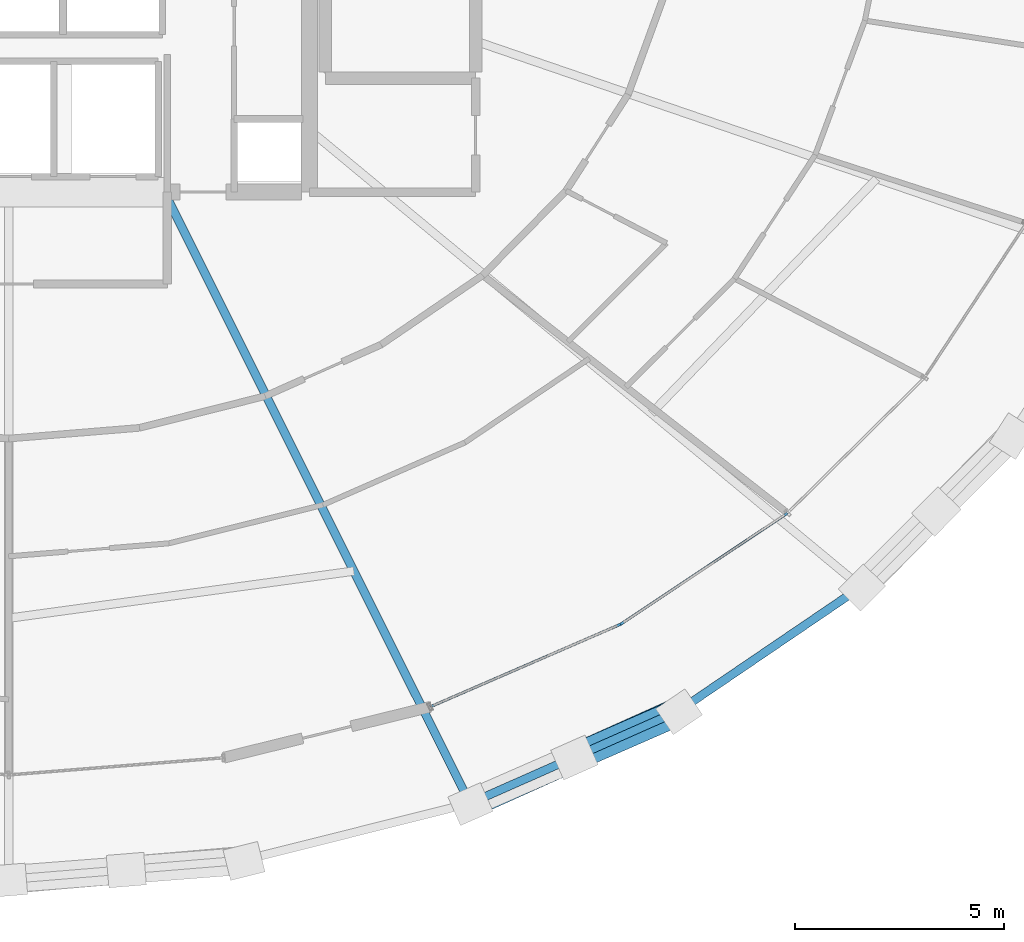
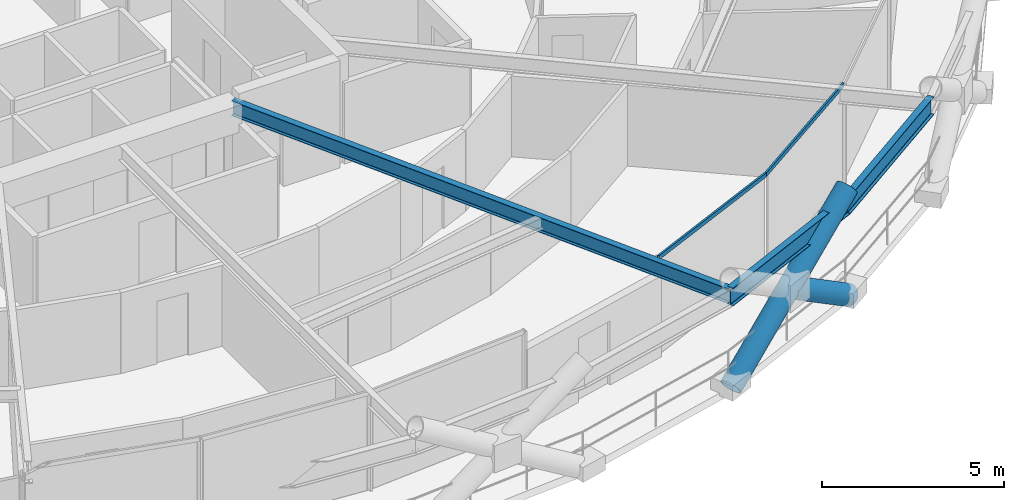
# One storey, part 7 of 23: 4 members, 3 beams, 1 element without a shape of its own.
"""IFC4 building model written with IfcOpenShell, lengths in metres."""

from ifc_helpers import new_model, si_unit, direction, frame, origin, origin_2d, place, context, subcontext, project, spatial, hollow_rectangle, hollow_circle, i_section, extrude, material, layer, layer_set, material_profile, profile_set, type_object, element, aggregate, save


model = new_model("IFC4")

# Units and contexts
model_context = context("Model", 3, precision=1e-05, world=origin(), true_north=direction((0.0, 1.0)))
body_context = subcontext(model_context, "Body", "Model", "MODEL_VIEW")
ifc_project = project(units=[si_unit("LENGTHUNIT", "METRE"), si_unit("AREAUNIT", "SQUARE_METRE"), si_unit("VOLUMEUNIT", "CUBIC_METRE"), si_unit("PLANEANGLEUNIT", "RADIAN"), si_unit("MASSUNIT", "GRAM", prefix="KILO")], contexts=[model_context])

# Site, building, storey
site_placement = place(None, origin())
site = spatial("IfcSite", under=ifc_project, at=site_placement, CompositionType="ELEMENT")
building_placement = place(site_placement, origin())
building = spatial("IfcBuilding", under=site, at=building_placement, Name="Veldorina Hangang Commons", CompositionType="ELEMENT")
storey_placement = place(building_placement, frame((0.0, 0.0, 95.199951171875)))
storey = spatial("IfcBuildingStorey", under=building, at=storey_placement, Name="L24", CompositionType="ELEMENT", Elevation=95.199951171875)

# Beams
ifc_material_1 = material(Name="Steel SM420-TMC", Category="steel")
ifc_material_profile_1 = material_profile(ifc_material_1, i_section(OverallWidth=0.199951171875, OverallDepth=0.5, WebThickness=0.010009765625, FlangeThickness=0.01611328125, FilletRadius=0.01611328125, at=origin_2d()), Name="H-500x200x10x16")
ifc_profile_set_1 = profile_set([ifc_material_profile_1], Name="Steel SM420-TMC")
beam_type_1 = type_object("IfcBeamType", Name="BM-FG500", PredefinedType="BEAM", material=ifc_profile_set_1)
beam_1_placement = place(storey_placement, frame((35.72607421875, 16.550048828125, 3.090087890625), z_axis=(0.447297158655, -0.894385404543, 0.0), x_axis=(0.894385404543, 0.447297158655, 0.0)))
element("IfcBeam", 1, at=beam_1_placement, inside=storey, type_object=beam_type_1, Name="L24 radial floor girder 14", PredefinedType="BEAM", context=body_context, shape_type="SweptSolid", body=[
    extrude(i_section(OverallWidth=0.199951171875, OverallDepth=0.5, WebThickness=0.010009765625, FlangeThickness=0.01611328125, FilletRadius=0.01611328125, at=origin_2d()), origin(), (0.0, 0.0, 1.0), 16.36083984375),
])
ifc_material_profile_2 = material_profile(ifc_material_1, i_section(OverallWidth=0.199951171875, OverallDepth=0.60009765625, WebThickness=0.010986328125, FlangeThickness=0.01708984375, FilletRadius=0.01806640625, at=origin_2d()), Name="H-600x200x11x17")
ifc_profile_set_2 = profile_set([ifc_material_profile_2], Name="Steel SM420-TMC")
beam_type_2 = type_object("IfcBeamType", Name="BM-RB600", PredefinedType="BEAM", material=ifc_profile_set_2)
beam_2_placement = place(storey_placement, frame((43.044189453125, 1.917236328125, 3.0400390625), z_axis=(0.914417530265, 0.404772257379, 0.0), x_axis=(-0.404772257379, 0.914417530265, 0.0)))
element("IfcBeam", 2, at=beam_2_placement, inside=storey, type_object=beam_type_2, Name="L24 perimeter hoop ring beam 26", PredefinedType="BEAM", context=body_context, shape_type="SweptSolid", body=[
    extrude(i_section(OverallWidth=0.199951171875, OverallDepth=0.60009765625, WebThickness=0.010986328125, FlangeThickness=0.01708984375, FilletRadius=0.01806640625, at=origin_2d()), origin(), (0.0, 0.0, 1.0), 5.456787109375),
])
beam_3_placement = place(storey_placement, frame((48.033935546875, 4.1259765625, 3.0400390625), z_axis=(0.827030394099, 0.56215720865, 0.0), x_axis=(-0.56215720865, 0.827030394099, 0.0)))
element("IfcBeam", 3, at=beam_3_placement, inside=storey, type_object=beam_type_2, Name="L24 perimeter hoop ring beam 27", PredefinedType="BEAM", context=body_context, shape_type="SweptSolid", body=[
    extrude(i_section(OverallWidth=0.199951171875, OverallDepth=0.60009765625, WebThickness=0.010986328125, FlangeThickness=0.01708984375, FilletRadius=0.01806640625, at=origin_2d()), origin(), (0.0, 0.0, 1.0), 5.287841796875),
])

# Curtain wall, members
ifc_material_2 = material(Name="Glass Low-E Triple IGU", Category="glass")
ifc_layer = layer(ifc_material_2, 0.179931640625)
ifc_layer_set = layer_set([ifc_layer], Name="Glass Low-E Triple IGU")
curtain_wall_type = type_object("IfcCurtainWallType", Name="CW-SYS-Z1", PredefinedType="NOTDEFINED", material=ifc_layer_set)
curtain_wall_placement = place(storey_placement, origin())
curtain_wall = element("IfcCurtainWall", 4, at=curtain_wall_placement, inside=storey, type_object=curtain_wall_type, Name="L24 unitised curtain wall CW-L24-R2", PredefinedType="NOTDEFINED")
ifc_material_3 = material(Name="Aluminium Anodized AA6063-T6", Category="aluminium")
ifc_material_profile_3 = material_profile(ifc_material_3, hollow_rectangle(XDim=0.06005859375, YDim=0.139892578125, WallThickness=0.00341796875, at=origin_2d()), Name="ALU-RHS-140x60x3.5")
ifc_profile_set_3 = profile_set([ifc_material_profile_3], Name="Aluminium Anodized AA6063-T6")
member_type_1 = type_object("IfcMemberType", Name="CW-TRN-140", PredefinedType="USERDEFINED", material=ifc_profile_set_3)
member_1_placement = place(storey_placement, frame((42.091064453125, 4.226806640625, 3.260009765625), z_axis=(0.917387658955, 0.397994828104, 0.0), x_axis=(-0.397994828104, 0.917387658955, 0.0)))
member_1 = element("IfcMember", 5, at=member_1_placement, type_object=member_type_1, Name="CW-L24-R2 facet 1 transom 1", ObjectType="TRANSOM", PredefinedType="USERDEFINED", context=body_context, shape_type="SweptSolid", body=[
    extrude(hollow_rectangle(XDim=0.06005859375, YDim=0.139892578125, WallThickness=0.00341796875, at=origin_2d()), origin(), (0.0, 0.0, 1.0), 4.969482421875),
])
member_2_placement = place(storey_placement, frame((46.64990234375, 6.20458984375, 3.260009765625), z_axis=(0.832269277545, 0.554371580851, 0.0), x_axis=(-0.554371580851, 0.832269277545, 0.0)))
member_2 = element("IfcMember", 6, at=member_2_placement, type_object=member_type_1, Name="CW-L24-R2 facet 2 transom 1", ObjectType="TRANSOM", PredefinedType="USERDEFINED", context=body_context, shape_type="SweptSolid", body=[
    extrude(hollow_rectangle(XDim=0.06005859375, YDim=0.139892578125, WallThickness=0.00341796875, at=origin_2d()), origin(), (0.0, 0.0, 1.0), 4.80126953125),
])
aggregate(curtain_wall, [member_1, member_2])

# Members
ifc_material_4 = material(Name="Steel SM460-TMC", Category="steel")
ifc_material_profile_4 = material_profile(ifc_material_4, hollow_circle(Radius=0.324951171875, WallThickness=0.031982421875, at=origin_2d()), Name="CHS-650x32")
ifc_profile_set_4 = profile_set([ifc_material_profile_4], Name="Steel SM460-TMC")
member_type_2 = type_object("IfcMemberType", Name="DG-CHS650", PredefinedType="BRACE", material=ifc_profile_set_4)
member_3_placement = place(storey_placement, frame((43.055419921875, 1.898681640625, 0.0), z_axis=(0.761500550131, 0.341367469382, 0.550985628667), x_axis=(-0.40906104652, 0.912507019272, 0.0)))
element("IfcMember", 7, at=member_3_placement, inside=storey, type_object=member_type_2, Name="L24 continuous perimeter diagrid brace 26", PredefinedType="BRACE", context=body_context, shape_type="SweptSolid", body=[
    extrude(hollow_circle(Radius=0.324951171875, WallThickness=0.031982421875, at=origin_2d()), origin(), (0.0, 0.0, 1.0), 6.533935546875),
])
member_4_placement = place(storey_placement, frame((48.0498046875, 4.109375, 0.0), z_axis=(-0.76518508232, -0.334456202534, 0.550118931125), x_axis=(0.400504947309, -0.916294596285, 0.0)))
element("IfcMember", 8, at=member_4_placement, inside=storey, type_object=member_type_2, Name="L24 split perimeter diagrid lower brace 27", PredefinedType="BRACE", context=body_context, shape_type="SweptSolid", body=[
    extrude(hollow_circle(Radius=0.324951171875, WallThickness=0.031982421875, at=origin_2d()), origin(), (0.0, 0.0, 1.0), 3.27392578125),
])

save(model, "model.ifc")
